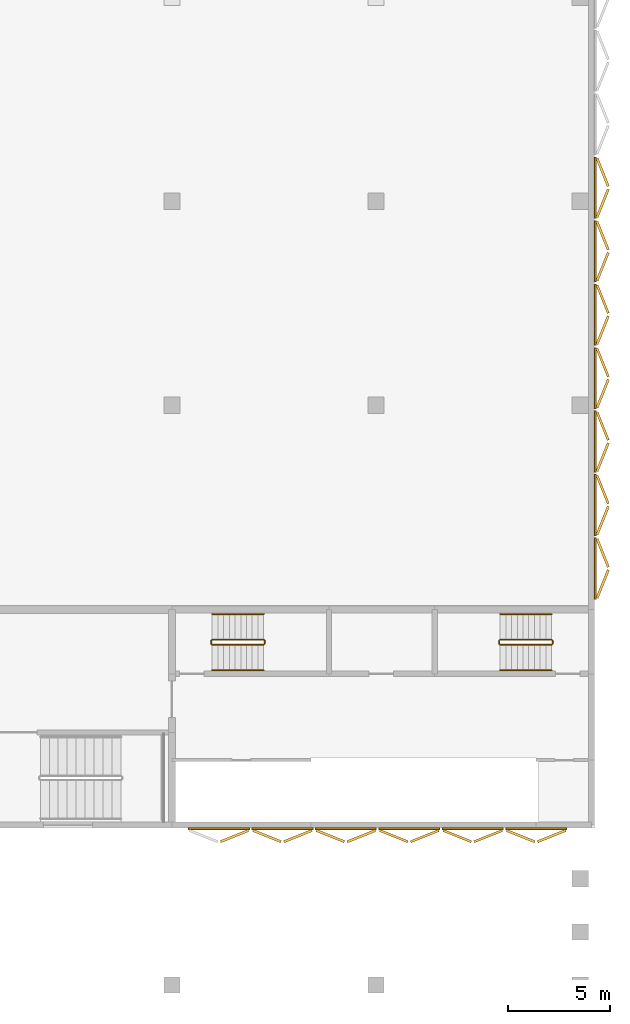
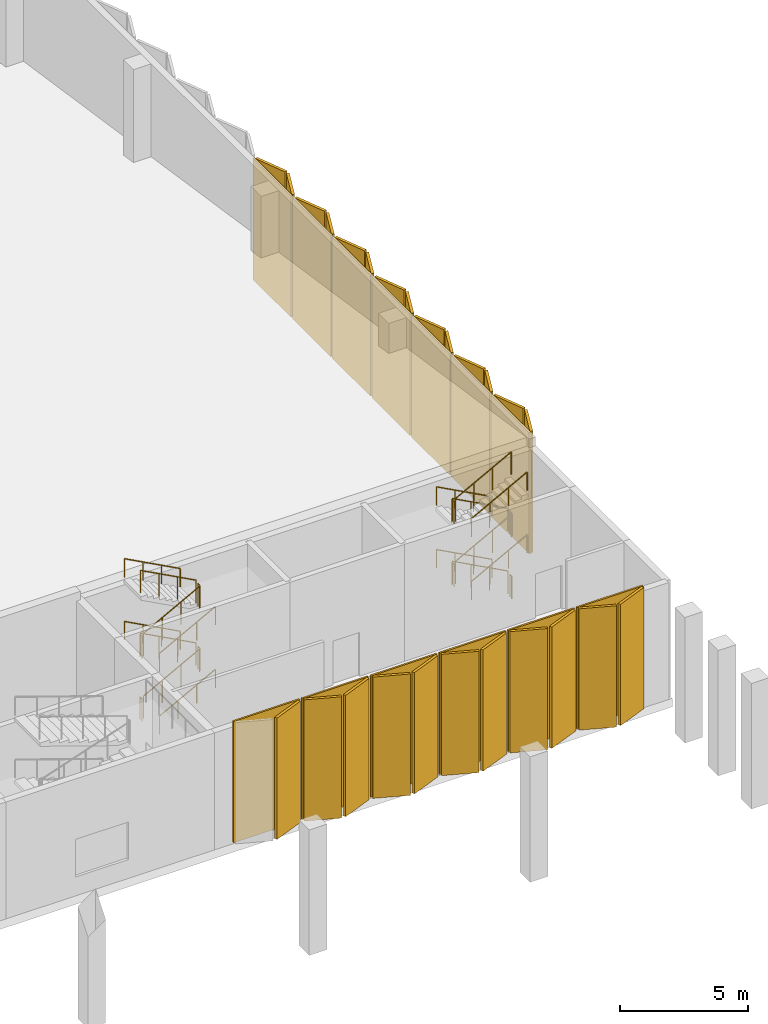
# One storey, part 47 of 51: 38 coverings, 24 railings.
"""IFC4 building model written with IfcOpenShell, lengths in metres."""

from ifc_helpers import new_model, si_unit, direction, frame, origin, origin_2d, place, context, subcontext, project, spatial, rectangle, circle, extrude, material, layer, layer_set, type_object, element, save


model = new_model("IFC4")

# Units and contexts
model_context = context("Model", 3, precision=1e-05, world=origin(), true_north=direction((0.0, 1.0)))
body_context = subcontext(model_context, "Body", "Model", "MODEL_VIEW")
ifc_project = project(units=[si_unit("LENGTHUNIT", "METRE"), si_unit("AREAUNIT", "SQUARE_METRE"), si_unit("VOLUMEUNIT", "CUBIC_METRE"), si_unit("PLANEANGLEUNIT", "RADIAN"), si_unit("MASSUNIT", "GRAM", prefix="KILO")], contexts=[model_context])

# Site, building, storey
site_placement = place(None, origin())
site = spatial("IfcSite", under=ifc_project, at=site_placement, CompositionType="ELEMENT")
building_placement = place(site_placement, origin())
building = spatial("IfcBuilding", under=site, at=building_placement, Name="Jabali Bay Hotel Tower and Convention Centre", CompositionType="ELEMENT")
storey_placement = place(building_placement, frame((0.0, 0.0, 9.0)))
storey = spatial("IfcBuildingStorey", under=building, at=storey_placement, Name="L01", CompositionType="ELEMENT", Elevation=9.0)

# Coverings
ifc_material_1 = material(Name="Precast concrete C40/50", Category="concrete")
ifc_layer_1 = layer(ifc_material_1, 0.1201171875)
ifc_layer_set_1 = layer_set([ifc_layer_1], Name="Precast concrete C40/50")
covering_type_1 = type_object("IfcCoveringType", Name="CC Relief blade 3000 x 5800", PredefinedType="CLADDING", material=ifc_layer_set_1)
for number, where, z_axis, x_axis, name in (
    (1, (251.8017578125, 61.248779296875, 0.10009765625), (0.0, 0.0, 1.0), (0.371390668473, 0.928476694038, 0.0), "CC relief panel E1 blade 1"),
    (2, (251.8017578125, 62.768798828125, 0.10009765625), (0.0, 0.0, 1.0), (0.371390668473, -0.928476694038, 0.0), "CC relief panel E1 blade 2"),
    (3, (251.8017578125, 64.357666015625, 0.10009765625), (0.0, 0.0, 1.0), (0.371390668473, 0.928476694038, 0.0), "CC relief panel E2 blade 1"),
    (4, (251.8017578125, 65.877685546875, 0.10009765625), (0.0, 0.0, 1.0), (0.371390668473, -0.928476694038, 0.0), "CC relief panel E2 blade 2"),
    (5, (251.8017578125, 67.466552734375, 0.10009765625), (0.0, 0.0, 1.0), (0.371390668473, 0.928476694038, 0.0), "CC relief panel E3 blade 1"),
    (6, (251.8017578125, 68.986572265625, 0.10009765625), (0.0, 0.0, 1.0), (0.371390668473, -0.928476694038, 0.0), "CC relief panel E3 blade 2"),
    (7, (251.8017578125, 70.5751953125, 0.10009765625), (0.0, 0.0, 1.0), (0.371390668473, 0.928476694038, 0.0), "CC relief panel E4 blade 1"),
    (8, (251.8017578125, 72.09521484375, 0.10009765625), (0.0, 0.0, 1.0), (0.371390668473, -0.928476694038, 0.0), "CC relief panel E4 blade 2"),
    (9, (251.8017578125, 73.68408203125, 0.10009765625), (0.0, 0.0, 1.0), (0.371390668473, 0.928476694038, 0.0), "CC relief panel E5 blade 1"),
    (10, (251.8017578125, 75.2041015625, 0.10009765625), (0.0, 0.0, 1.0), (0.371390668473, -0.928476694038, 0.0), "CC relief panel E5 blade 2"),
    (11, (251.8017578125, 76.79296875, 0.10009765625), (0.0, 0.0, 1.0), (0.371390668473, 0.928476694038, 0.0), "CC relief panel E6 blade 1"),
    (12, (251.8017578125, 78.31298828125, 0.10009765625), (0.0, 0.0, 1.0), (0.371390668473, -0.928476694038, 0.0), "CC relief panel E6 blade 2"),
    (13, (251.8017578125, 79.90185546875, 0.10009765625), (0.0, 0.0, 1.0), (0.371390668473, 0.928476694038, 0.0), "CC relief panel E7 blade 1"),
    (14, (251.8017578125, 81.421875, 0.10009765625), (0.0, 0.0, 1.0), (0.371390668473, -0.928476694038, 0.0), "CC relief panel E7 blade 2"),
    (15, (233.76708984375, 48.898193359375, 0.10009765625), (0.0, 0.0, 1.0), (-0.928476694038, -0.371390668473, 0.0), "CC relief panel S1 blade 2"),
    (16, (235.354248046875, 48.898193359375, 0.10009765625), (0.0, 0.0, 1.0), (0.928476694038, -0.371390668473, 0.0), "CC relief panel S2 blade 1"),
    (17, (236.874267578125, 48.898193359375, 0.10009765625), (0.0, 0.0, 1.0), (-0.928476694038, -0.371390668473, 0.0), "CC relief panel S2 blade 2"),
    (18, (238.46142578125, 48.898193359375, 0.10009765625), (0.0, 0.0, 1.0), (0.928476694038, -0.371390668473, 0.0), "CC relief panel S3 blade 1"),
    (19, (239.9814453125, 48.898193359375, 0.10009765625), (0.0, 0.0, 1.0), (-0.928476694038, -0.371390668473, 0.0), "CC relief panel S3 blade 2"),
    (20, (241.568603515625, 48.898193359375, 0.10009765625), (0.0, 0.0, 1.0), (0.928476694038, -0.371390668473, 0.0), "CC relief panel S4 blade 1"),
    (21, (243.088623046875, 48.898193359375, 0.10009765625), (0.0, 0.0, 1.0), (-0.928476694038, -0.371390668473, 0.0), "CC relief panel S4 blade 2"),
    (22, (244.67578125, 48.898193359375, 0.10009765625), (0.0, 0.0, 1.0), (0.928476694038, -0.371390668473, 0.0), "CC relief panel S5 blade 1"),
    (23, (246.19580078125, 48.898193359375, 0.10009765625), (0.0, 0.0, 1.0), (-0.928476694038, -0.371390668473, 0.0), "CC relief panel S5 blade 2"),
    (24, (247.782958984375, 48.898193359375, 0.10009765625), (0.0, 0.0, 1.0), (0.928476694038, -0.371390668473, 0.0), "CC relief panel S6 blade 1"),
    (25, (249.302978515625, 48.898193359375, 0.10009765625), (0.0, 0.0, 1.0), (-0.928476694038, -0.371390668473, 0.0), "CC relief panel S6 blade 2"),
):
    element("IfcCovering", number, at=place(storey_placement, frame(where, z_axis=z_axis, x_axis=x_axis)), inside=storey, type_object=covering_type_1, Name=name, PredefinedType="CLADDING", context=body_context, shape_type="SweptSolid", body=[
        extrude(rectangle(XDim=1.486328125, YDim=0.1201171875, at=origin_2d()), origin(), (0.0, 0.0, 1.0), 5.800048828125),
    ])
ifc_layer_2 = layer(ifc_material_1, 0.080078125)
ifc_layer_set_2 = layer_set([ifc_layer_2], Name="Precast concrete C40/50")
covering_type_2 = type_object("IfcCoveringType", Name="CC Relief panel 3000 x 5800", PredefinedType="CLADDING", material=ifc_layer_set_2)
for number, where, z_axis, x_axis, name in (
    (26, (251.43994140625, 62.0087890625, 0.10009765625), (0.0, 0.0, 1.0), (1.0, 0.0, 0.0), "CC relief panel E1"),
    (27, (251.43994140625, 65.11767578125, 0.10009765625), (0.0, 0.0, 1.0), (1.0, 0.0, 0.0), "CC relief panel E2"),
    (28, (251.43994140625, 68.2265625, 0.10009765625), (0.0, 0.0, 1.0), (1.0, 0.0, 0.0), "CC relief panel E3"),
    (29, (251.43994140625, 71.335205078125, 0.10009765625), (0.0, 0.0, 1.0), (1.0, 0.0, 0.0), "CC relief panel E4"),
    (30, (251.43994140625, 74.444091796875, 0.10009765625), (0.0, 0.0, 1.0), (1.0, 0.0, 0.0), "CC relief panel E5"),
    (31, (251.43994140625, 77.552978515625, 0.10009765625), (0.0, 0.0, 1.0), (1.0, 0.0, 0.0), "CC relief panel E6"),
    (32, (251.43994140625, 80.661865234375, 0.10009765625), (0.0, 0.0, 1.0), (1.0, 0.0, 0.0), "CC relief panel E7"),
):
    element("IfcCovering", number, at=place(storey_placement, frame(where, z_axis=z_axis, x_axis=x_axis)), inside=storey, type_object=covering_type_2, Name=name, PredefinedType="CLADDING", context=body_context, shape_type="SweptSolid", body=[
        extrude(rectangle(XDim=0.080078125, YDim=3.0, at=origin_2d()), origin(), (0.0, 0.0, 1.0), 5.800048828125),
    ])
for number, where, z_axis, x_axis, name in (
    (33, (233.007080078125, 49.260009765625, 0.10009765625), (0.0, 0.0, 1.0), (1.0, 0.0, 0.0), "CC relief panel S1"),
    (34, (236.1142578125, 49.260009765625, 0.10009765625), (0.0, 0.0, 1.0), (1.0, 0.0, 0.0), "CC relief panel S2"),
    (35, (239.221435546875, 49.260009765625, 0.10009765625), (0.0, 0.0, 1.0), (1.0, 0.0, 0.0), "CC relief panel S3"),
    (36, (242.32861328125, 49.260009765625, 0.10009765625), (0.0, 0.0, 1.0), (1.0, 0.0, 0.0), "CC relief panel S4"),
    (37, (245.435791015625, 49.260009765625, 0.10009765625), (0.0, 0.0, 1.0), (1.0, 0.0, 0.0), "CC relief panel S5"),
    (38, (248.54296875, 49.260009765625, 0.10009765625), (0.0, 0.0, 1.0), (1.0, 0.0, 0.0), "CC relief panel S6"),
):
    element("IfcCovering", number, at=place(storey_placement, frame(where, z_axis=z_axis, x_axis=x_axis)), inside=storey, type_object=covering_type_2, Name=name, PredefinedType="CLADDING", context=body_context, shape_type="SweptSolid", body=[
        extrude(rectangle(XDim=3.0, YDim=0.080078125, at=origin_2d()), origin(), (0.0, 0.0, 1.0), 5.800048828125),
    ])

# Railings
ifc_material_2 = material(Name="Stainless steel 304", Category="steel")
railing_type_1 = type_object("IfcRailingType", Name="CC Stair Guard 1100", PredefinedType="GUARDRAIL", material=ifc_material_2)
railing_1_placement = place(storey_placement, frame((249.300048828125, 58.52490234375, 0.14990234375)))
element("IfcRailing", 39, at=railing_1_placement, inside=storey, type_object=railing_type_1, Name="L01 CC-STEA stair guard 1", PredefinedType="GUARDRAIL", context=body_context, shape_type="SweptSolid", body=[
    extrude(circle(Radius=0.02392578125, at=origin_2d()), frame((0.0, 0.0, 1.076171875), z_axis=(-0.881467274426, 0.0, 0.472245110209), x_axis=(0.0, -1.0, 0.0)), (0.0, 0.0, 1.0), 2.85888671875),
    extrude(circle(Radius=0.02099609375, at=origin_2d()), origin(), (0.0, 0.0, 1.0), 1.052001953125),
    extrude(circle(Radius=0.02099609375, at=origin_2d()), frame((-0.840087890625, 0.0, 0.449951171875)), (0.0, 0.0, 1.0), 1.052001953125),
    extrude(circle(Radius=0.02099609375, at=origin_2d()), frame((-1.679931640625, 0.0, 0.900146484375)), (0.0, 0.0, 1.0), 1.052001953125),
    extrude(circle(Radius=0.02099609375, at=origin_2d()), frame((-2.52001953125, 0.0, 1.35009765625)), (0.0, 0.0, 1.0), 1.052001953125),
])
railing_2_placement = place(storey_placement, frame((246.72998046875, 58.47509765625, 1.5)))
element("IfcRailing", 40, at=railing_2_placement, inside=storey, type_object=railing_type_1, Name="L01 CC-STEA stair guard 2", PredefinedType="GUARDRAIL", context=body_context, shape_type="SweptSolid", body=[
    extrude(circle(Radius=0.02392578125, at=origin_2d()), frame((0.0, 0.0, 1.076171875), z_axis=(0.0, -1.0, 0.0), x_axis=(1.0, 0.0, 0.0)), (0.0, 0.0, 1.0), 0.150146484375),
    extrude(circle(Radius=0.02099609375, at=origin_2d()), origin(), (0.0, 0.0, 1.0), 1.052001953125),
    extrude(circle(Radius=0.02099609375, at=origin_2d()), frame((0.0, -0.150146484375, 0.0)), (0.0, 0.0, 1.0), 1.052001953125),
])
railing_3_placement = place(storey_placement, frame((246.780029296875, 58.27490234375, 1.64990234375)))
element("IfcRailing", 41, at=railing_3_placement, inside=storey, type_object=railing_type_1, Name="L01 CC-STEA stair guard 3", PredefinedType="GUARDRAIL", context=body_context, shape_type="SweptSolid", body=[
    extrude(circle(Radius=0.02392578125, at=origin_2d()), frame((0.0, 0.0, 1.076171875), z_axis=(0.881467274426, 0.0, 0.472245110209), x_axis=(0.0, 1.0, 0.0)), (0.0, 0.0, 1.0), 2.85888671875),
    extrude(circle(Radius=0.02099609375, at=origin_2d()), origin(), (0.0, 0.0, 1.0), 1.052001953125),
    extrude(circle(Radius=0.02099609375, at=origin_2d()), frame((0.840087890625, 0.0, 0.449951171875)), (0.0, 0.0, 1.0), 1.052001953125),
    extrude(circle(Radius=0.02099609375, at=origin_2d()), frame((1.679931640625, 0.0, 0.900146484375)), (0.0, 0.0, 1.0), 1.052001953125),
    extrude(circle(Radius=0.02099609375, at=origin_2d()), frame((2.52001953125, 0.0, 1.35009765625)), (0.0, 0.0, 1.0), 1.052001953125),
])
railing_4_placement = place(storey_placement, frame((249.35009765625, 58.47509765625, 3.0)))
element("IfcRailing", 42, at=railing_4_placement, inside=storey, type_object=railing_type_1, Name="L01 CC-STEA stair guard 4", PredefinedType="GUARDRAIL", context=body_context, shape_type="SweptSolid", body=[
    extrude(circle(Radius=0.02392578125, at=origin_2d()), frame((0.0, 0.0, 1.076171875), z_axis=(0.0, -1.0, 0.0), x_axis=(1.0, 0.0, 0.0)), (0.0, 0.0, 1.0), 0.150146484375),
    extrude(circle(Radius=0.02099609375, at=origin_2d()), origin(), (0.0, 0.0, 1.0), 1.052001953125),
    extrude(circle(Radius=0.02099609375, at=origin_2d()), frame((0.0, -0.150146484375, 0.0)), (0.0, 0.0, 1.0), 1.052001953125),
])
railing_5_placement = place(storey_placement, frame((249.300048828125, 58.52490234375, 3.14990234375)))
element("IfcRailing", 43, at=railing_5_placement, inside=storey, type_object=railing_type_1, Name="L01 CC-STEA stair guard 5", PredefinedType="GUARDRAIL", context=body_context, shape_type="SweptSolid", body=[
    extrude(circle(Radius=0.02392578125, at=origin_2d()), frame((0.0, 0.0, 1.076171875), z_axis=(-0.881467274426, 0.0, 0.472245110209), x_axis=(0.0, -1.0, 0.0)), (0.0, 0.0, 1.0), 2.85888671875),
    extrude(circle(Radius=0.02099609375, at=origin_2d()), origin(), (0.0, 0.0, 1.0), 1.052001953125),
    extrude(circle(Radius=0.02099609375, at=origin_2d()), frame((-0.840087890625, 0.0, 0.449951171875)), (0.0, 0.0, 1.0), 1.052001953125),
    extrude(circle(Radius=0.02099609375, at=origin_2d()), frame((-1.679931640625, 0.0, 0.900146484375)), (0.0, 0.0, 1.0), 1.052001953125),
    extrude(circle(Radius=0.02099609375, at=origin_2d()), frame((-2.52001953125, 0.0, 1.35009765625)), (0.0, 0.0, 1.0), 1.052001953125),
])
railing_6_placement = place(storey_placement, frame((246.72998046875, 58.47509765625, 4.5)))
element("IfcRailing", 44, at=railing_6_placement, inside=storey, type_object=railing_type_1, Name="L01 CC-STEA stair guard 6", PredefinedType="GUARDRAIL", context=body_context, shape_type="SweptSolid", body=[
    extrude(circle(Radius=0.02392578125, at=origin_2d()), frame((0.0, 0.0, 1.076171875), z_axis=(0.0, -1.0, 0.0), x_axis=(1.0, 0.0, 0.0)), (0.0, 0.0, 1.0), 0.150146484375),
    extrude(circle(Radius=0.02099609375, at=origin_2d()), origin(), (0.0, 0.0, 1.0), 1.052001953125),
    extrude(circle(Radius=0.02099609375, at=origin_2d()), frame((0.0, -0.150146484375, 0.0)), (0.0, 0.0, 1.0), 1.052001953125),
])
railing_7_placement = place(storey_placement, frame((246.780029296875, 58.27490234375, 4.64990234375)))
element("IfcRailing", 45, at=railing_7_placement, inside=storey, type_object=railing_type_1, Name="L01 CC-STEA stair guard 7", PredefinedType="GUARDRAIL", context=body_context, shape_type="SweptSolid", body=[
    extrude(circle(Radius=0.02392578125, at=origin_2d()), frame((0.0, 0.0, 1.076171875), z_axis=(0.881467274426, 0.0, 0.472245110209), x_axis=(0.0, 1.0, 0.0)), (0.0, 0.0, 1.0), 2.85888671875),
    extrude(circle(Radius=0.02099609375, at=origin_2d()), origin(), (0.0, 0.0, 1.0), 1.052001953125),
    extrude(circle(Radius=0.02099609375, at=origin_2d()), frame((0.840087890625, 0.0, 0.449951171875)), (0.0, 0.0, 1.0), 1.052001953125),
    extrude(circle(Radius=0.02099609375, at=origin_2d()), frame((1.679931640625, 0.0, 0.900146484375)), (0.0, 0.0, 1.0), 1.052001953125),
    extrude(circle(Radius=0.02099609375, at=origin_2d()), frame((2.52001953125, 0.0, 1.35009765625)), (0.0, 0.0, 1.0), 1.052001953125),
])
railing_8_placement = place(storey_placement, frame((249.35009765625, 58.47509765625, 0.0)))
element("IfcRailing", 46, at=railing_8_placement, inside=storey, type_object=railing_type_1, Name="L01 CC-STEA stair guard 8", PredefinedType="GUARDRAIL", context=body_context, shape_type="SweptSolid", body=[
    extrude(circle(Radius=0.02392578125, at=origin_2d()), frame((0.0, 0.0, 1.076171875), z_axis=(0.0, -1.0, 0.0), x_axis=(1.0, 0.0, 0.0)), (0.0, 0.0, 1.0), 0.150146484375),
    extrude(circle(Radius=0.02099609375, at=origin_2d()), origin(), (0.0, 0.0, 1.0), 1.052001953125),
    extrude(circle(Radius=0.02099609375, at=origin_2d()), frame((0.0, -0.150146484375, 0.0)), (0.0, 0.0, 1.0), 1.052001953125),
])
railing_9_placement = place(storey_placement, frame((232.675048828125, 58.27490234375, 0.14990234375)))
element("IfcRailing", 47, at=railing_9_placement, inside=storey, type_object=railing_type_1, Name="L01 CC-STEB stair guard 1", PredefinedType="GUARDRAIL", context=body_context, shape_type="SweptSolid", body=[
    extrude(circle(Radius=0.02392578125, at=origin_2d()), frame((0.0, 0.0, 1.076171875), z_axis=(0.881467274426, 0.0, 0.472245110209), x_axis=(0.0, 1.0, 0.0)), (0.0, 0.0, 1.0), 2.85888671875),
    extrude(circle(Radius=0.02099609375, at=origin_2d()), origin(), (0.0, 0.0, 1.0), 1.052001953125),
    extrude(circle(Radius=0.02099609375, at=origin_2d()), frame((0.840087890625, 0.0, 0.449951171875)), (0.0, 0.0, 1.0), 1.052001953125),
    extrude(circle(Radius=0.02099609375, at=origin_2d()), frame((1.679931640625, 0.0, 0.900146484375)), (0.0, 0.0, 1.0), 1.052001953125),
    extrude(circle(Radius=0.02099609375, at=origin_2d()), frame((2.52001953125, 0.0, 1.35009765625)), (0.0, 0.0, 1.0), 1.052001953125),
])
railing_10_placement = place(storey_placement, frame((235.2451171875, 58.324951171875, 1.5)))
element("IfcRailing", 48, at=railing_10_placement, inside=storey, type_object=railing_type_1, Name="L01 CC-STEB stair guard 2", PredefinedType="GUARDRAIL", context=body_context, shape_type="SweptSolid", body=[
    extrude(circle(Radius=0.02392578125, at=origin_2d()), frame((0.0, 0.0, 1.076171875), z_axis=(0.0, 1.0, 0.0), x_axis=(-1.0, 0.0, 0.0)), (0.0, 0.0, 1.0), 0.150146484375),
    extrude(circle(Radius=0.02099609375, at=origin_2d()), origin(), (0.0, 0.0, 1.0), 1.052001953125),
    extrude(circle(Radius=0.02099609375, at=origin_2d()), frame((0.0, 0.150146484375, 0.0)), (0.0, 0.0, 1.0), 1.052001953125),
])
railing_11_placement = place(storey_placement, frame((235.195068359375, 58.52490234375, 1.64990234375)))
element("IfcRailing", 49, at=railing_11_placement, inside=storey, type_object=railing_type_1, Name="L01 CC-STEB stair guard 3", PredefinedType="GUARDRAIL", context=body_context, shape_type="SweptSolid", body=[
    extrude(circle(Radius=0.02392578125, at=origin_2d()), frame((0.0, 0.0, 1.076171875), z_axis=(-0.881467274426, 0.0, 0.472245110209), x_axis=(0.0, -1.0, 0.0)), (0.0, 0.0, 1.0), 2.85888671875),
    extrude(circle(Radius=0.02099609375, at=origin_2d()), origin(), (0.0, 0.0, 1.0), 1.052001953125),
    extrude(circle(Radius=0.02099609375, at=origin_2d()), frame((-0.840087890625, 0.0, 0.449951171875)), (0.0, 0.0, 1.0), 1.052001953125),
    extrude(circle(Radius=0.02099609375, at=origin_2d()), frame((-1.679931640625, 0.0, 0.900146484375)), (0.0, 0.0, 1.0), 1.052001953125),
    extrude(circle(Radius=0.02099609375, at=origin_2d()), frame((-2.52001953125, 0.0, 1.35009765625)), (0.0, 0.0, 1.0), 1.052001953125),
])
railing_12_placement = place(storey_placement, frame((232.625, 58.324951171875, 3.0)))
element("IfcRailing", 50, at=railing_12_placement, inside=storey, type_object=railing_type_1, Name="L01 CC-STEB stair guard 4", PredefinedType="GUARDRAIL", context=body_context, shape_type="SweptSolid", body=[
    extrude(circle(Radius=0.02392578125, at=origin_2d()), frame((0.0, 0.0, 1.076171875), z_axis=(0.0, 1.0, 0.0), x_axis=(-1.0, 0.0, 0.0)), (0.0, 0.0, 1.0), 0.150146484375),
    extrude(circle(Radius=0.02099609375, at=origin_2d()), origin(), (0.0, 0.0, 1.0), 1.052001953125),
    extrude(circle(Radius=0.02099609375, at=origin_2d()), frame((0.0, 0.150146484375, 0.0)), (0.0, 0.0, 1.0), 1.052001953125),
])
railing_13_placement = place(storey_placement, frame((232.675048828125, 58.27490234375, 3.14990234375)))
element("IfcRailing", 51, at=railing_13_placement, inside=storey, type_object=railing_type_1, Name="L01 CC-STEB stair guard 5", PredefinedType="GUARDRAIL", context=body_context, shape_type="SweptSolid", body=[
    extrude(circle(Radius=0.02392578125, at=origin_2d()), frame((0.0, 0.0, 1.076171875), z_axis=(0.881467274426, 0.0, 0.472245110209), x_axis=(0.0, 1.0, 0.0)), (0.0, 0.0, 1.0), 2.85888671875),
    extrude(circle(Radius=0.02099609375, at=origin_2d()), origin(), (0.0, 0.0, 1.0), 1.052001953125),
    extrude(circle(Radius=0.02099609375, at=origin_2d()), frame((0.840087890625, 0.0, 0.449951171875)), (0.0, 0.0, 1.0), 1.052001953125),
    extrude(circle(Radius=0.02099609375, at=origin_2d()), frame((1.679931640625, 0.0, 0.900146484375)), (0.0, 0.0, 1.0), 1.052001953125),
    extrude(circle(Radius=0.02099609375, at=origin_2d()), frame((2.52001953125, 0.0, 1.35009765625)), (0.0, 0.0, 1.0), 1.052001953125),
])
railing_14_placement = place(storey_placement, frame((235.2451171875, 58.324951171875, 4.5)))
element("IfcRailing", 52, at=railing_14_placement, inside=storey, type_object=railing_type_1, Name="L01 CC-STEB stair guard 6", PredefinedType="GUARDRAIL", context=body_context, shape_type="SweptSolid", body=[
    extrude(circle(Radius=0.02392578125, at=origin_2d()), frame((0.0, 0.0, 1.076171875), z_axis=(0.0, 1.0, 0.0), x_axis=(-1.0, 0.0, 0.0)), (0.0, 0.0, 1.0), 0.150146484375),
    extrude(circle(Radius=0.02099609375, at=origin_2d()), origin(), (0.0, 0.0, 1.0), 1.052001953125),
    extrude(circle(Radius=0.02099609375, at=origin_2d()), frame((0.0, 0.150146484375, 0.0)), (0.0, 0.0, 1.0), 1.052001953125),
])
railing_15_placement = place(storey_placement, frame((235.195068359375, 58.52490234375, 4.64990234375)))
element("IfcRailing", 53, at=railing_15_placement, inside=storey, type_object=railing_type_1, Name="L01 CC-STEB stair guard 7", PredefinedType="GUARDRAIL", context=body_context, shape_type="SweptSolid", body=[
    extrude(circle(Radius=0.02392578125, at=origin_2d()), frame((0.0, 0.0, 1.076171875), z_axis=(-0.881467274426, 0.0, 0.472245110209), x_axis=(0.0, -1.0, 0.0)), (0.0, 0.0, 1.0), 2.85888671875),
    extrude(circle(Radius=0.02099609375, at=origin_2d()), origin(), (0.0, 0.0, 1.0), 1.052001953125),
    extrude(circle(Radius=0.02099609375, at=origin_2d()), frame((-0.840087890625, 0.0, 0.449951171875)), (0.0, 0.0, 1.0), 1.052001953125),
    extrude(circle(Radius=0.02099609375, at=origin_2d()), frame((-1.679931640625, 0.0, 0.900146484375)), (0.0, 0.0, 1.0), 1.052001953125),
    extrude(circle(Radius=0.02099609375, at=origin_2d()), frame((-2.52001953125, 0.0, 1.35009765625)), (0.0, 0.0, 1.0), 1.052001953125),
])
railing_16_placement = place(storey_placement, frame((232.625, 58.324951171875, 0.0)))
element("IfcRailing", 54, at=railing_16_placement, inside=storey, type_object=railing_type_1, Name="L01 CC-STEB stair guard 8", PredefinedType="GUARDRAIL", context=body_context, shape_type="SweptSolid", body=[
    extrude(circle(Radius=0.02392578125, at=origin_2d()), frame((0.0, 0.0, 1.076171875), z_axis=(0.0, 1.0, 0.0), x_axis=(-1.0, 0.0, 0.0)), (0.0, 0.0, 1.0), 0.150146484375),
    extrude(circle(Radius=0.02099609375, at=origin_2d()), origin(), (0.0, 0.0, 1.0), 1.052001953125),
    extrude(circle(Radius=0.02099609375, at=origin_2d()), frame((0.0, 0.150146484375, 0.0)), (0.0, 0.0, 1.0), 1.052001953125),
])
railing_type_2 = type_object("IfcRailingType", Name="CC Stair Handrail 900", PredefinedType="HANDRAIL", material=ifc_material_2)
railing_17_placement = place(storey_placement, frame((249.300048828125, 59.77490234375, 0.14990234375)))
element("IfcRailing", 55, at=railing_17_placement, inside=storey, type_object=railing_type_2, Name="L01 CC-STEA stair handrail 1", PredefinedType="HANDRAIL", context=body_context, shape_type="SweptSolid", body=[
    extrude(circle(Radius=0.02392578125, at=origin_2d()), frame((0.0, 0.0, 0.8759765625), z_axis=(-0.881467274426, 0.0, 0.472245110209), x_axis=(0.0, -1.0, 0.0)), (0.0, 0.0, 1.0), 2.85888671875),
    extrude(circle(Radius=0.02099609375, at=origin_2d()), origin(), (0.0, 0.0, 1.0), 0.851806640625),
    extrude(circle(Radius=0.02099609375, at=origin_2d()), frame((-0.840087890625, 0.0, 0.449951171875)), (0.0, 0.0, 1.0), 0.851806640625),
    extrude(circle(Radius=0.02099609375, at=origin_2d()), frame((-1.679931640625, 0.0, 0.900146484375)), (0.0, 0.0, 1.0), 0.851806640625),
    extrude(circle(Radius=0.02099609375, at=origin_2d()), frame((-2.52001953125, 0.0, 1.35009765625)), (0.0, 0.0, 1.0), 0.851806640625),
])
railing_18_placement = place(storey_placement, frame((246.780029296875, 57.02490234375, 1.64990234375)))
element("IfcRailing", 56, at=railing_18_placement, inside=storey, type_object=railing_type_2, Name="L01 CC-STEA stair handrail 2", PredefinedType="HANDRAIL", context=body_context, shape_type="SweptSolid", body=[
    extrude(circle(Radius=0.02392578125, at=origin_2d()), frame((0.0, 0.0, 0.8759765625), z_axis=(0.881467274426, 0.0, 0.472245110209), x_axis=(0.0, 1.0, 0.0)), (0.0, 0.0, 1.0), 2.85888671875),
    extrude(circle(Radius=0.02099609375, at=origin_2d()), origin(), (0.0, 0.0, 1.0), 0.851806640625),
    extrude(circle(Radius=0.02099609375, at=origin_2d()), frame((0.840087890625, 0.0, 0.449951171875)), (0.0, 0.0, 1.0), 0.851806640625),
    extrude(circle(Radius=0.02099609375, at=origin_2d()), frame((1.679931640625, 0.0, 0.900146484375)), (0.0, 0.0, 1.0), 0.851806640625),
    extrude(circle(Radius=0.02099609375, at=origin_2d()), frame((2.52001953125, 0.0, 1.35009765625)), (0.0, 0.0, 1.0), 0.851806640625),
])
railing_19_placement = place(storey_placement, frame((249.300048828125, 59.77490234375, 3.14990234375)))
element("IfcRailing", 57, at=railing_19_placement, inside=storey, type_object=railing_type_2, Name="L01 CC-STEA stair handrail 3", PredefinedType="HANDRAIL", context=body_context, shape_type="SweptSolid", body=[
    extrude(circle(Radius=0.02392578125, at=origin_2d()), frame((0.0, 0.0, 0.8759765625), z_axis=(-0.881467274426, 0.0, 0.472245110209), x_axis=(0.0, -1.0, 0.0)), (0.0, 0.0, 1.0), 2.85888671875),
    extrude(circle(Radius=0.02099609375, at=origin_2d()), origin(), (0.0, 0.0, 1.0), 0.851806640625),
    extrude(circle(Radius=0.02099609375, at=origin_2d()), frame((-0.840087890625, 0.0, 0.449951171875)), (0.0, 0.0, 1.0), 0.851806640625),
    extrude(circle(Radius=0.02099609375, at=origin_2d()), frame((-1.679931640625, 0.0, 0.900146484375)), (0.0, 0.0, 1.0), 0.851806640625),
    extrude(circle(Radius=0.02099609375, at=origin_2d()), frame((-2.52001953125, 0.0, 1.35009765625)), (0.0, 0.0, 1.0), 0.851806640625),
])
for number, where, name in (
    (58, (246.780029296875, 57.02490234375, 4.64990234375), "L01 CC-STEA stair handrail 4"),
    (59, (232.675048828125, 57.02490234375, 0.14990234375), "L01 CC-STEB stair handrail 1"),
):
    element("IfcRailing", number, at=place(storey_placement, frame(where)), inside=storey, type_object=railing_type_2, Name=name, PredefinedType="HANDRAIL", context=body_context, shape_type="SweptSolid", body=[
        extrude(circle(Radius=0.02392578125, at=origin_2d()), frame((0.0, 0.0, 0.8759765625), z_axis=(0.881467274426, 0.0, 0.472245110209), x_axis=(0.0, 1.0, 0.0)), (0.0, 0.0, 1.0), 2.85888671875),
        extrude(circle(Radius=0.02099609375, at=origin_2d()), origin(), (0.0, 0.0, 1.0), 0.851806640625),
        extrude(circle(Radius=0.02099609375, at=origin_2d()), frame((0.840087890625, 0.0, 0.449951171875)), (0.0, 0.0, 1.0), 0.851806640625),
        extrude(circle(Radius=0.02099609375, at=origin_2d()), frame((1.679931640625, 0.0, 0.900146484375)), (0.0, 0.0, 1.0), 0.851806640625),
        extrude(circle(Radius=0.02099609375, at=origin_2d()), frame((2.52001953125, 0.0, 1.35009765625)), (0.0, 0.0, 1.0), 0.851806640625),
    ])
railing_20_placement = place(storey_placement, frame((235.195068359375, 59.77490234375, 1.64990234375)))
element("IfcRailing", 60, at=railing_20_placement, inside=storey, type_object=railing_type_2, Name="L01 CC-STEB stair handrail 2", PredefinedType="HANDRAIL", context=body_context, shape_type="SweptSolid", body=[
    extrude(circle(Radius=0.02392578125, at=origin_2d()), frame((0.0, 0.0, 0.8759765625), z_axis=(-0.881467274426, 0.0, 0.472245110209), x_axis=(0.0, -1.0, 0.0)), (0.0, 0.0, 1.0), 2.85888671875),
    extrude(circle(Radius=0.02099609375, at=origin_2d()), origin(), (0.0, 0.0, 1.0), 0.851806640625),
    extrude(circle(Radius=0.02099609375, at=origin_2d()), frame((-0.840087890625, 0.0, 0.449951171875)), (0.0, 0.0, 1.0), 0.851806640625),
    extrude(circle(Radius=0.02099609375, at=origin_2d()), frame((-1.679931640625, 0.0, 0.900146484375)), (0.0, 0.0, 1.0), 0.851806640625),
    extrude(circle(Radius=0.02099609375, at=origin_2d()), frame((-2.52001953125, 0.0, 1.35009765625)), (0.0, 0.0, 1.0), 0.851806640625),
])
railing_21_placement = place(storey_placement, frame((232.675048828125, 57.02490234375, 3.14990234375)))
element("IfcRailing", 61, at=railing_21_placement, inside=storey, type_object=railing_type_2, Name="L01 CC-STEB stair handrail 3", PredefinedType="HANDRAIL", context=body_context, shape_type="SweptSolid", body=[
    extrude(circle(Radius=0.02392578125, at=origin_2d()), frame((0.0, 0.0, 0.8759765625), z_axis=(0.881467274426, 0.0, 0.472245110209), x_axis=(0.0, 1.0, 0.0)), (0.0, 0.0, 1.0), 2.85888671875),
    extrude(circle(Radius=0.02099609375, at=origin_2d()), origin(), (0.0, 0.0, 1.0), 0.851806640625),
    extrude(circle(Radius=0.02099609375, at=origin_2d()), frame((0.840087890625, 0.0, 0.449951171875)), (0.0, 0.0, 1.0), 0.851806640625),
    extrude(circle(Radius=0.02099609375, at=origin_2d()), frame((1.679931640625, 0.0, 0.900146484375)), (0.0, 0.0, 1.0), 0.851806640625),
    extrude(circle(Radius=0.02099609375, at=origin_2d()), frame((2.52001953125, 0.0, 1.35009765625)), (0.0, 0.0, 1.0), 0.851806640625),
])
railing_22_placement = place(storey_placement, frame((235.195068359375, 59.77490234375, 4.64990234375)))
element("IfcRailing", 62, at=railing_22_placement, inside=storey, type_object=railing_type_2, Name="L01 CC-STEB stair handrail 4", PredefinedType="HANDRAIL", context=body_context, shape_type="SweptSolid", body=[
    extrude(circle(Radius=0.02392578125, at=origin_2d()), frame((0.0, 0.0, 0.8759765625), z_axis=(-0.881467274426, 0.0, 0.472245110209), x_axis=(0.0, -1.0, 0.0)), (0.0, 0.0, 1.0), 2.85888671875),
    extrude(circle(Radius=0.02099609375, at=origin_2d()), origin(), (0.0, 0.0, 1.0), 0.851806640625),
    extrude(circle(Radius=0.02099609375, at=origin_2d()), frame((-0.840087890625, 0.0, 0.449951171875)), (0.0, 0.0, 1.0), 0.851806640625),
    extrude(circle(Radius=0.02099609375, at=origin_2d()), frame((-1.679931640625, 0.0, 0.900146484375)), (0.0, 0.0, 1.0), 0.851806640625),
    extrude(circle(Radius=0.02099609375, at=origin_2d()), frame((-2.52001953125, 0.0, 1.35009765625)), (0.0, 0.0, 1.0), 0.851806640625),
])

save(model, "model.ifc")
